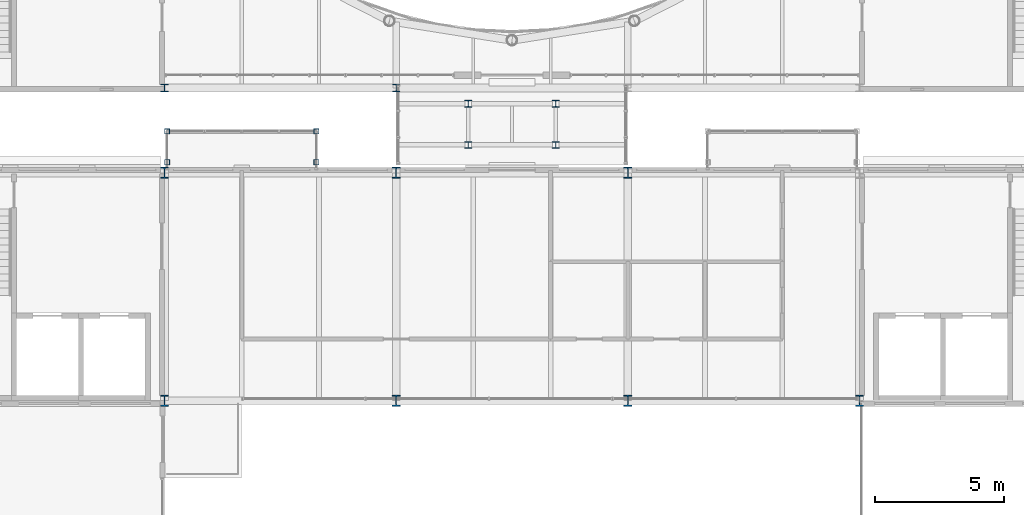
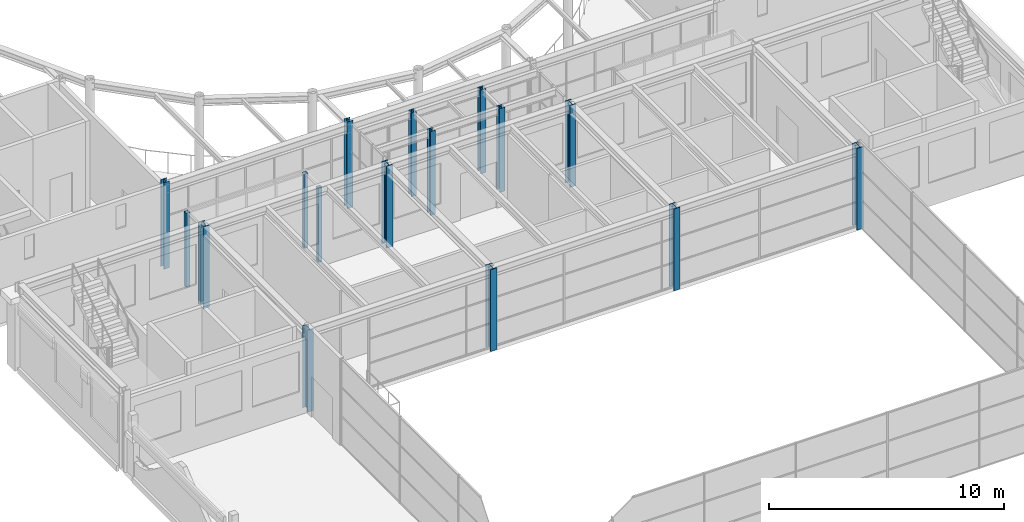
# One storey, part 4 of 70: 17 columns.
"""IFC4 building model written with IfcOpenShell, lengths in metres."""

from ifc_helpers import new_model, si_unit, direction, frame, origin, origin_2d, place, context, subcontext, project, spatial, hollow_rectangle, i_section, extrude, material, material_profile, profile_set, type_object, element, save


model = new_model("IFC4")

# Units and contexts
model_context = context("Model", 3, precision=1e-05, world=origin(), true_north=direction((0.0, 1.0)))
body_context = subcontext(model_context, "Body", "Model", "MODEL_VIEW")
ifc_project = project(units=[si_unit("LENGTHUNIT", "METRE"), si_unit("AREAUNIT", "SQUARE_METRE"), si_unit("VOLUMEUNIT", "CUBIC_METRE"), si_unit("PLANEANGLEUNIT", "RADIAN"), si_unit("MASSUNIT", "GRAM", prefix="KILO")], contexts=[model_context])

# Site, building, storey
site_placement = place(None, origin())
site = spatial("IfcSite", under=ifc_project, at=site_placement, CompositionType="ELEMENT")
building_placement = place(site_placement, origin())
building = spatial("IfcBuilding", under=site, at=building_placement, Name="Kallimachos Central Library", CompositionType="ELEMENT")
storey_placement = place(building_placement, frame((0.0, 0.0, 18.89990234375)))
storey = spatial("IfcBuildingStorey", under=building, at=storey_placement, Name="L04", CompositionType="ELEMENT", Elevation=18.89990234375)

# Columns
ifc_material_1 = material(Name="Steel S355J2", Category="steel")
ifc_material_profile_1 = material_profile(ifc_material_1, i_section(OverallWidth=0.260009765625, OverallDepth=0.260009765625, WebThickness=0.010009765625, FlangeThickness=0.017578125, FilletRadius=0.02392578125, at=origin_2d()), Name="HEB 260")
ifc_profile_set_1 = profile_set([ifc_material_profile_1], Name="Steel S355J2")
column_type_1 = type_object("IfcColumnType", Name="HEB 260 column", PredefinedType="COLUMN", material=ifc_profile_set_1)
for number, where, z_axis, x_axis, name in (
    (1, (86.300048828125, 84.9375, 0.0), (0.0, 0.0, 1.0), (1.0, 0.0, 0.0), "Reading Link column"),
    (2, (86.300048828125, 86.53759765625, 0.0), (0.0, 0.0, 1.0), (1.0, 0.0, 0.0), "Reading Link column"),
    (3, (89.699951171875, 84.9375, 0.0), (0.0, 0.0, 1.0), (1.0, 0.0, 0.0), "Reading Link column"),
    (4, (89.699951171875, 86.53759765625, 0.0), (0.0, 0.0, 1.0), (1.0, 0.0, 0.0), "Reading Link column"),
):
    element("IfcColumn", number, at=place(storey_placement, frame(where, z_axis=z_axis, x_axis=x_axis)), inside=storey, type_object=column_type_1, Name=name, PredefinedType="COLUMN", context=body_context, shape_type="SweptSolid", body=[
        extrude(i_section(OverallWidth=0.260009765625, OverallDepth=0.260009765625, WebThickness=0.010009765625, FlangeThickness=0.017578125, FilletRadius=0.02392578125, at=origin_2d()), origin(), (0.0, 0.0, 1.0), 4.35009765625),
    ])
ifc_material_2 = material(Name="Steel S355J2", Category="steel")
ifc_material_profile_2 = material_profile(ifc_material_2, i_section(OverallWidth=0.280029296875, OverallDepth=0.280029296875, WebThickness=0.010498046875, FlangeThickness=0.01806640625, FilletRadius=0.02392578125, at=origin_2d()), Name="HEB 280")
ifc_profile_set_2 = profile_set([ifc_material_profile_2], Name="Steel S355J2")
column_type_2 = type_object("IfcColumnType", Name="HEB 280 column", PredefinedType="COLUMN", material=ifc_profile_set_2)
for number, where, z_axis, x_axis, name in (
    (5, (74.5, 87.14990234375, 0.0), (0.0, 0.0, 1.0), (1.0, 0.0, 0.0), "V1-COL-L04-002"),
    (6, (83.5, 87.14990234375, 0.0), (0.0, 0.0, 1.0), (1.0, 0.0, 0.0), "V1-COL-L04-003"),
):
    element("IfcColumn", number, at=place(storey_placement, frame(where, z_axis=z_axis, x_axis=x_axis)), inside=storey, type_object=column_type_2, Name=name, PredefinedType="COLUMN", context=body_context, shape_type="SweptSolid", body=[
        extrude(i_section(OverallWidth=0.280029296875, OverallDepth=0.280029296875, WebThickness=0.010498046875, FlangeThickness=0.01806640625, FilletRadius=0.02392578125, at=origin_2d()), origin(), (0.0, 0.0, 1.0), 4.5),
    ])
ifc_material_3 = material(Name="Steel S355J2", Category="steel")
ifc_material_profile_3 = material_profile(ifc_material_3, i_section(OverallWidth=0.306884765625, OverallDepth=0.431884765625, WebThickness=0.02099609375, FlangeThickness=0.0400390625, FilletRadius=0.027099609375, at=origin_2d()), Name="HEM 400")
ifc_profile_set_3 = profile_set([ifc_material_profile_3], Name="Steel S355J2")
column_type_3 = type_object("IfcColumnType", Name="HEM 400 column", PredefinedType="COLUMN", material=ifc_profile_set_3)
for number, where, z_axis, x_axis, name in (
    (7, (101.5, 75.0, 0.0), (0.0, 0.0, 1.0), (1.0, 0.0, 0.0), "V4-COL-L04-001"),
    (8, (74.5, 75.0, 0.0), (0.0, 0.0, 1.0), (1.0, 0.0, 0.0), "V4-COL-L04-004"),
    (9, (83.5, 75.0, 0.0), (0.0, 0.0, 1.0), (1.0, 0.0, 0.0), "V4-COL-L04-005"),
    (10, (92.5, 75.0, 0.0), (0.0, 0.0, 1.0), (1.0, 0.0, 0.0), "V4-COL-L04-006"),
    (11, (74.5, 83.85009765625, 0.0), (0.0, 0.0, 1.0), (1.0, 0.0, 0.0), "V4-COL-L04-010"),
    (12, (83.5, 83.85009765625, 0.0), (0.0, 0.0, 1.0), (1.0, 0.0, 0.0), "V4-COL-L04-011"),
    (13, (92.5, 83.85009765625, 0.0), (0.0, 0.0, 1.0), (1.0, 0.0, 0.0), "V4-COL-L04-012"),
):
    element("IfcColumn", number, at=place(storey_placement, frame(where, z_axis=z_axis, x_axis=x_axis)), inside=storey, type_object=column_type_3, Name=name, PredefinedType="COLUMN", context=body_context, shape_type="SweptSolid", body=[
        extrude(i_section(OverallWidth=0.306884765625, OverallDepth=0.431884765625, WebThickness=0.02099609375, FlangeThickness=0.0400390625, FilletRadius=0.027099609375, at=origin_2d()), origin(), (0.0, 0.0, 1.0), 4.25),
    ])
ifc_material_4 = material(Name="Steel S355J2H", Category="steel")
ifc_material_profile_4 = material_profile(ifc_material_4, hollow_rectangle(XDim=0.199951171875, YDim=0.199951171875, WallThickness=0.010009765625, InnerFilletRadius=0.010009765625, OuterFilletRadius=0.014892578125, at=origin_2d()), Name="SHS 200x200x10")
ifc_profile_set_4 = profile_set([ifc_material_profile_4], Name="Steel S355J2H")
column_type_4 = type_object("IfcColumnType", Name="SHS 200x200x10 column", PredefinedType="COLUMN", material=ifc_profile_set_4)
for number, where, z_axis, x_axis, name in (
    (14, (74.60009765625, 84.26611328125, 0.0), (0.0, 0.0, 1.0), (1.0, 0.0, 0.0), "Tribune bay N1 column 1"),
    (15, (80.39990234375, 84.26611328125, 0.0), (0.0, 0.0, 1.0), (1.0, 0.0, 0.0), "Tribune bay N1 column 2"),
    (16, (74.60009765625, 85.466064453125, 0.0), (0.0, 0.0, 1.0), (1.0, 0.0, 0.0), "Tribune bay N1 column 3"),
    (17, (80.39990234375, 85.466064453125, 0.0), (0.0, 0.0, 1.0), (1.0, 0.0, 0.0), "Tribune bay N1 column 4"),
):
    element("IfcColumn", number, at=place(storey_placement, frame(where, z_axis=z_axis, x_axis=x_axis)), inside=storey, type_object=column_type_4, Name=name, PredefinedType="COLUMN", context=body_context, shape_type="SweptSolid", body=[
        extrude(hollow_rectangle(XDim=0.199951171875, YDim=0.199951171875, WallThickness=0.010009765625, InnerFilletRadius=0.010009765625, OuterFilletRadius=0.014892578125, at=origin_2d()), origin(), (0.0, 0.0, 1.0), 3.85009765625),
    ])

save(model, "model.ifc")
